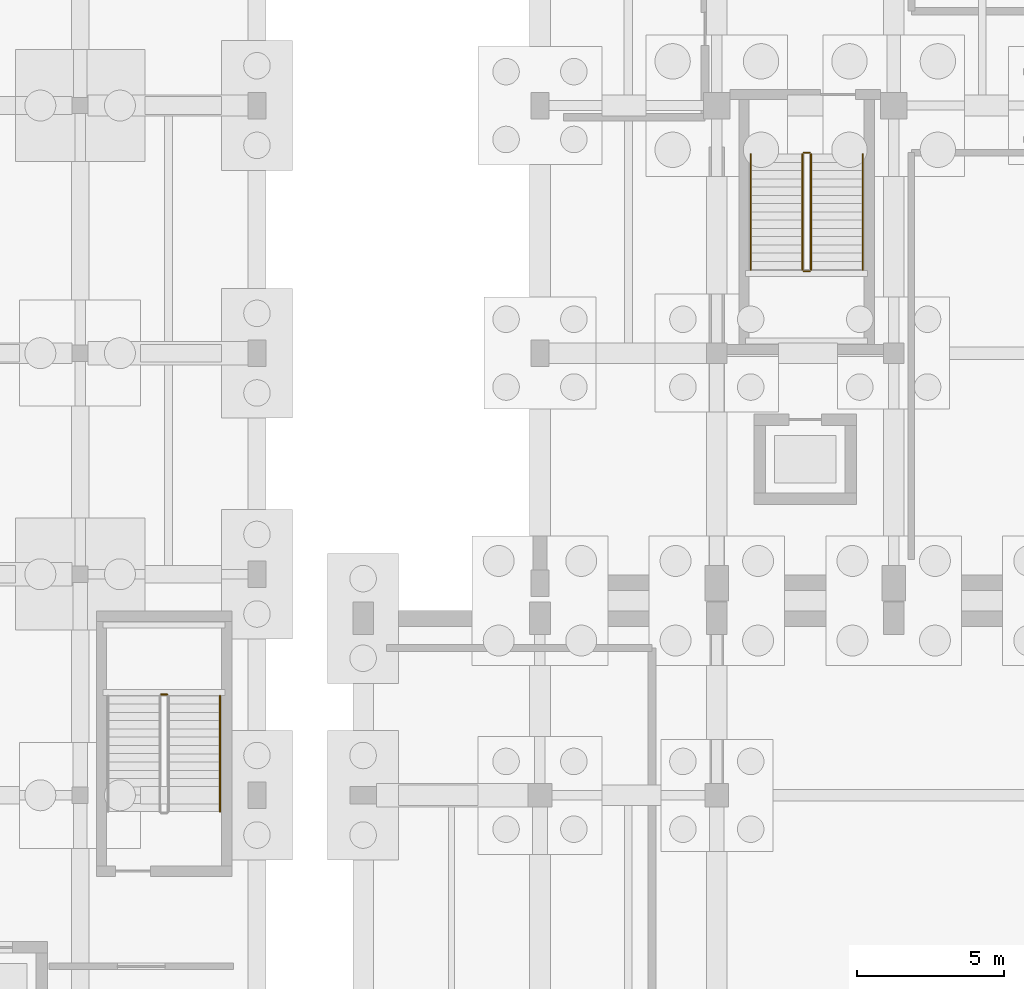
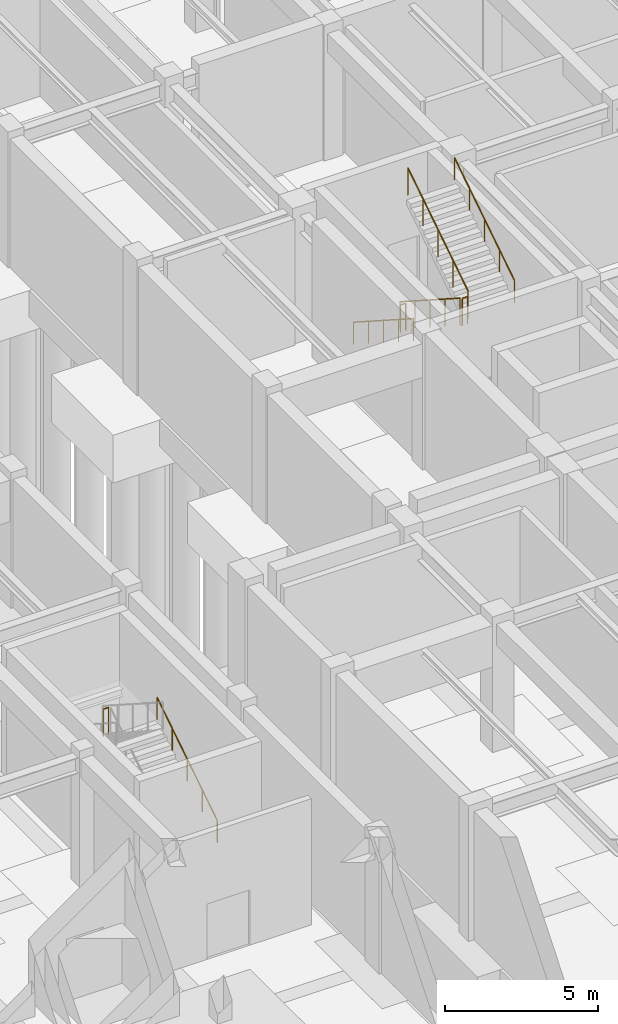
# One storey, part 66 of 69: 8 railings.
"""IFC4 building model written with IfcOpenShell, lengths in metres."""

from ifc_helpers import new_model, si_unit, direction, frame, origin, origin_2d, place, context, subcontext, project, spatial, circle, extrude, material, type_object, element, save


model = new_model("IFC4")

# Units and contexts
model_context = context("Model", 3, precision=1e-05, world=origin(), true_north=direction((0.0, 1.0)))
body_context = subcontext(model_context, "Body", "Model", "MODEL_VIEW")
ifc_project = project(units=[si_unit("LENGTHUNIT", "METRE"), si_unit("AREAUNIT", "SQUARE_METRE"), si_unit("VOLUMEUNIT", "CUBIC_METRE"), si_unit("PLANEANGLEUNIT", "RADIAN"), si_unit("MASSUNIT", "GRAM", prefix="KILO")], contexts=[model_context])

# Site, building, storey
site_placement = place(None, origin())
site = spatial("IfcSite", under=ifc_project, at=site_placement, CompositionType="ELEMENT")
building_placement = place(site_placement, origin())
building = spatial("IfcBuilding", under=site, at=building_placement, Name="Vaelkrest Opera House", CompositionType="ELEMENT")
storey_placement = place(building_placement, frame((0.0, 0.0, -5.39990234375)))
storey = spatial("IfcBuildingStorey", under=building, at=storey_placement, Name="B1", CompositionType="ELEMENT", Elevation=-5.39990234375)

# Railings
ifc_material = material(Name="Dark bronze anodized aluminium", Category="aluminium")
railing_type_1 = type_object("IfcRailingType", Name="GR02", PredefinedType="GUARDRAIL", material=ifc_material)
railing_1_placement = place(storey_placement, frame((-15.10009765625, 31.949951171875, 0.179931640625)))
element("IfcRailing", 1, at=railing_1_placement, inside=storey, type_object=railing_type_1, Name="B1 ST05 stair guard 1", PredefinedType="GUARDRAIL", context=body_context, shape_type="SweptSolid", body=[
    extrude(circle(Radius=0.02392578125, at=origin_2d()), frame((0.0, 0.0, 1.076171875), z_axis=(0.0, -0.841171666519, 0.540768182723), x_axis=(1.0, 0.0, 0.0)), (0.0, 0.0, 1.0), 4.66015625),
    extrude(circle(Radius=0.02099609375, at=origin_2d()), origin(), (0.0, 0.0, 1.0), 1.052001953125),
    extrude(circle(Radius=0.02099609375, at=origin_2d()), frame((0.0, -0.97998046875, 0.6298828125)), (0.0, 0.0, 1.0), 1.052001953125),
    extrude(circle(Radius=0.02099609375, at=origin_2d()), frame((0.0, -1.9599609375, 1.260009765625)), (0.0, 0.0, 1.0), 1.052001953125),
    extrude(circle(Radius=0.02099609375, at=origin_2d()), frame((0.0, -2.93994140625, 1.89013671875)), (0.0, 0.0, 1.0), 1.052001953125),
    extrude(circle(Radius=0.02099609375, at=origin_2d()), frame((0.0, -3.919921875, 2.52001953125)), (0.0, 0.0, 1.0), 1.052001953125),
])
railing_2_placement = place(storey_placement, frame((-15.050048828125, 27.97998046875, 2.699951171875)))
element("IfcRailing", 2, at=railing_2_placement, inside=storey, type_object=railing_type_1, Name="B1 ST05 stair guard 2", PredefinedType="GUARDRAIL", context=body_context, shape_type="SweptSolid", body=[
    extrude(circle(Radius=0.02392578125, at=origin_2d()), frame((0.0, 0.0, 1.076171875), z_axis=(1.0, 0.0, 0.0), x_axis=(0.0, 1.0, 0.0)), (0.0, 0.0, 1.0), 0.199951171875),
    extrude(circle(Radius=0.02099609375, at=origin_2d()), origin(), (0.0, 0.0, 1.0), 1.052001953125),
    extrude(circle(Radius=0.02099609375, at=origin_2d()), frame((0.199951171875, 0.0, 0.0)), (0.0, 0.0, 1.0), 1.052001953125),
])
railing_3_placement = place(storey_placement, frame((-14.800048828125, 28.030029296875, 2.8798828125)))
element("IfcRailing", 3, at=railing_3_placement, inside=storey, type_object=railing_type_1, Name="B1 ST05 stair guard 3", PredefinedType="GUARDRAIL", context=body_context, shape_type="SweptSolid", body=[
    extrude(circle(Radius=0.02392578125, at=origin_2d()), frame((0.0, 0.0, 1.076171875), z_axis=(0.0, 0.841171666519, 0.540768182723), x_axis=(-1.0, 0.0, 0.0)), (0.0, 0.0, 1.0), 4.66015625),
    extrude(circle(Radius=0.02099609375, at=origin_2d()), origin(), (0.0, 0.0, 1.0), 1.052001953125),
    extrude(circle(Radius=0.02099609375, at=origin_2d()), frame((0.0, 0.97998046875, 0.6298828125)), (0.0, 0.0, 1.0), 1.052001953125),
    extrude(circle(Radius=0.02099609375, at=origin_2d()), frame((0.0, 1.9599609375, 1.260009765625)), (0.0, 0.0, 1.0), 1.052001953125),
    extrude(circle(Radius=0.02099609375, at=origin_2d()), frame((0.0, 2.93994140625, 1.89013671875)), (0.0, 0.0, 1.0), 1.052001953125),
    extrude(circle(Radius=0.02099609375, at=origin_2d()), frame((0.0, 3.919921875, 2.52001953125)), (0.0, 0.0, 1.0), 1.052001953125),
])
railing_4_placement = place(storey_placement, frame((-15.050048828125, 32.0, 0.0)))
element("IfcRailing", 4, at=railing_4_placement, inside=storey, type_object=railing_type_1, Name="B1 ST05 stair guard 4", PredefinedType="GUARDRAIL", context=body_context, shape_type="SweptSolid", body=[
    extrude(circle(Radius=0.02392578125, at=origin_2d()), frame((0.0, 0.0, 1.076171875), z_axis=(1.0, 0.0, 0.0), x_axis=(0.0, 1.0, 0.0)), (0.0, 0.0, 1.0), 0.199951171875),
    extrude(circle(Radius=0.02099609375, at=origin_2d()), origin(), (0.0, 0.0, 1.0), 1.052001953125),
    extrude(circle(Radius=0.02099609375, at=origin_2d()), frame((0.199951171875, 0.0, 0.0)), (0.0, 0.0, 1.0), 1.052001953125),
])
railing_5_placement = place(storey_placement, frame((-36.64990234375, 13.6201171875, 2.699951171875)))
element("IfcRailing", 5, at=railing_5_placement, inside=storey, type_object=railing_type_1, Name="B1 ST08 stair guard 2", PredefinedType="GUARDRAIL", context=body_context, shape_type="SweptSolid", body=[
    extrude(circle(Radius=0.02392578125, at=origin_2d()), frame((0.0, 0.0, 1.076171875), z_axis=(-1.0, 0.0, 0.0), x_axis=(0.0, -1.0, 0.0)), (0.0, 0.0, 1.0), 0.2001953125),
    extrude(circle(Radius=0.02099609375, at=origin_2d()), origin(), (0.0, 0.0, 1.0), 1.052001953125),
    extrude(circle(Radius=0.02099609375, at=origin_2d()), frame((-0.2001953125, 0.0, 0.0)), (0.0, 0.0, 1.0), 1.052001953125),
])
railing_type_2 = type_object("IfcRailingType", Name="HR02", PredefinedType="HANDRAIL", material=ifc_material)
railing_6_placement = place(storey_placement, frame((-16.85009765625, 31.949951171875, 0.179931640625)))
element("IfcRailing", 6, at=railing_6_placement, inside=storey, type_object=railing_type_2, Name="B1 ST05 stair handrail 1", PredefinedType="HANDRAIL", context=body_context, shape_type="SweptSolid", body=[
    extrude(circle(Radius=0.02392578125, at=origin_2d()), frame((0.0, 0.0, 0.8759765625), z_axis=(0.0, -0.841171666519, 0.540768182723), x_axis=(1.0, 0.0, 0.0)), (0.0, 0.0, 1.0), 4.66015625),
    extrude(circle(Radius=0.02099609375, at=origin_2d()), origin(), (0.0, 0.0, 1.0), 0.851806640625),
    extrude(circle(Radius=0.02099609375, at=origin_2d()), frame((0.0, -0.97998046875, 0.6298828125)), (0.0, 0.0, 1.0), 0.851806640625),
    extrude(circle(Radius=0.02099609375, at=origin_2d()), frame((0.0, -1.9599609375, 1.260009765625)), (0.0, 0.0, 1.0), 0.851806640625),
    extrude(circle(Radius=0.02099609375, at=origin_2d()), frame((0.0, -2.93994140625, 1.89013671875)), (0.0, 0.0, 1.0), 0.851806640625),
    extrude(circle(Radius=0.02099609375, at=origin_2d()), frame((0.0, -3.919921875, 2.52001953125)), (0.0, 0.0, 1.0), 0.851806640625),
])
railing_7_placement = place(storey_placement, frame((-13.050048828125, 28.030029296875, 2.8798828125)))
element("IfcRailing", 7, at=railing_7_placement, inside=storey, type_object=railing_type_2, Name="B1 ST05 stair handrail 2", PredefinedType="HANDRAIL", context=body_context, shape_type="SweptSolid", body=[
    extrude(circle(Radius=0.02392578125, at=origin_2d()), frame((0.0, 0.0, 0.8759765625), z_axis=(0.0, 0.841171666519, 0.540768182723), x_axis=(-1.0, 0.0, 0.0)), (0.0, 0.0, 1.0), 4.66015625),
    extrude(circle(Radius=0.02099609375, at=origin_2d()), origin(), (0.0, 0.0, 1.0), 0.851806640625),
    extrude(circle(Radius=0.02099609375, at=origin_2d()), frame((0.0, 0.97998046875, 0.6298828125)), (0.0, 0.0, 1.0), 0.851806640625),
    extrude(circle(Radius=0.02099609375, at=origin_2d()), frame((0.0, 1.9599609375, 1.260009765625)), (0.0, 0.0, 1.0), 0.851806640625),
    extrude(circle(Radius=0.02099609375, at=origin_2d()), frame((0.0, 2.93994140625, 1.89013671875)), (0.0, 0.0, 1.0), 0.851806640625),
    extrude(circle(Radius=0.02099609375, at=origin_2d()), frame((0.0, 3.919921875, 2.52001953125)), (0.0, 0.0, 1.0), 0.851806640625),
])
railing_8_placement = place(storey_placement, frame((-34.85009765625, 9.64990234375, 0.179931640625)))
element("IfcRailing", 8, at=railing_8_placement, inside=storey, type_object=railing_type_2, Name="B1 ST08 stair handrail 1", PredefinedType="HANDRAIL", context=body_context, shape_type="SweptSolid", body=[
    extrude(circle(Radius=0.02392578125, at=origin_2d()), frame((0.0, 0.0, 0.8759765625), z_axis=(0.0, 0.841186985886, 0.540744352514), x_axis=(-1.0, 0.0, 0.0)), (0.0, 0.0, 1.0), 4.660400390625),
    extrude(circle(Radius=0.02099609375, at=origin_2d()), origin(), (0.0, 0.0, 1.0), 0.851806640625),
    extrude(circle(Radius=0.02099609375, at=origin_2d()), frame((0.0, 0.97998046875, 0.6298828125)), (0.0, 0.0, 1.0), 0.851806640625),
    extrude(circle(Radius=0.02099609375, at=origin_2d()), frame((0.0, 1.9599609375, 1.260009765625)), (0.0, 0.0, 1.0), 0.851806640625),
    extrude(circle(Radius=0.02099609375, at=origin_2d()), frame((0.0, 2.940185546875, 1.89013671875)), (0.0, 0.0, 1.0), 0.851806640625),
    extrude(circle(Radius=0.02099609375, at=origin_2d()), frame((0.0, 3.920166015625, 2.52001953125)), (0.0, 0.0, 1.0), 0.851806640625),
])

save(model, "model.ifc")
